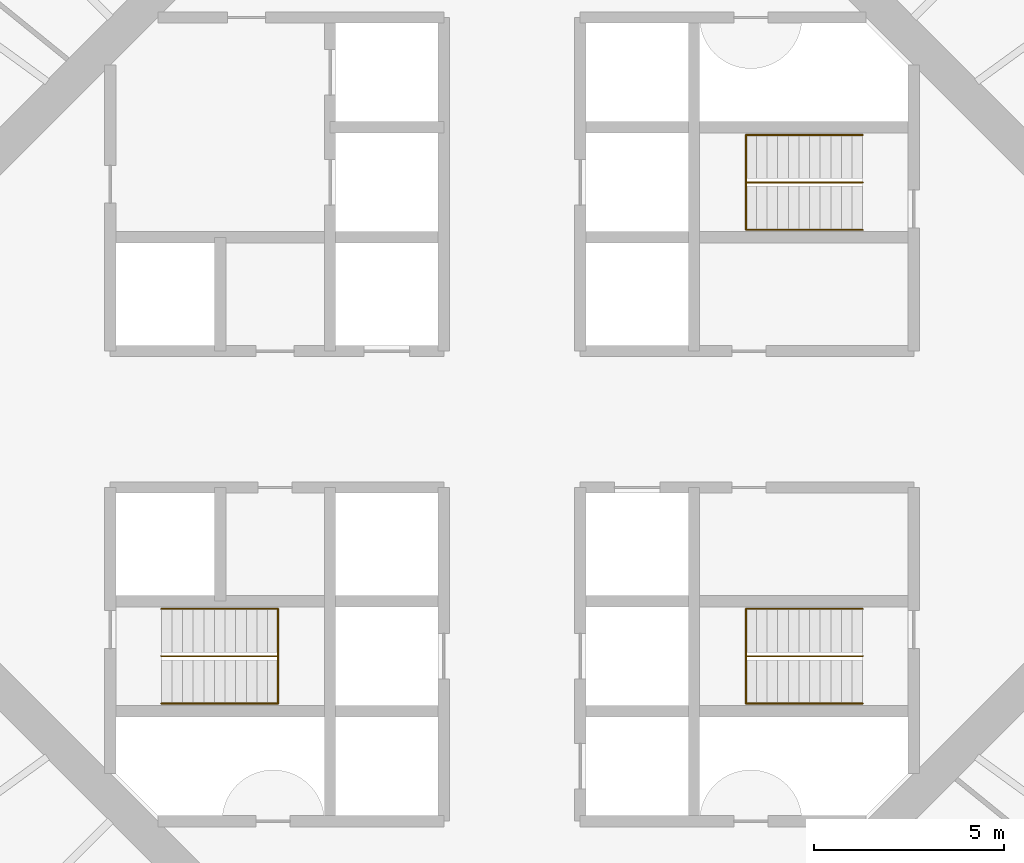
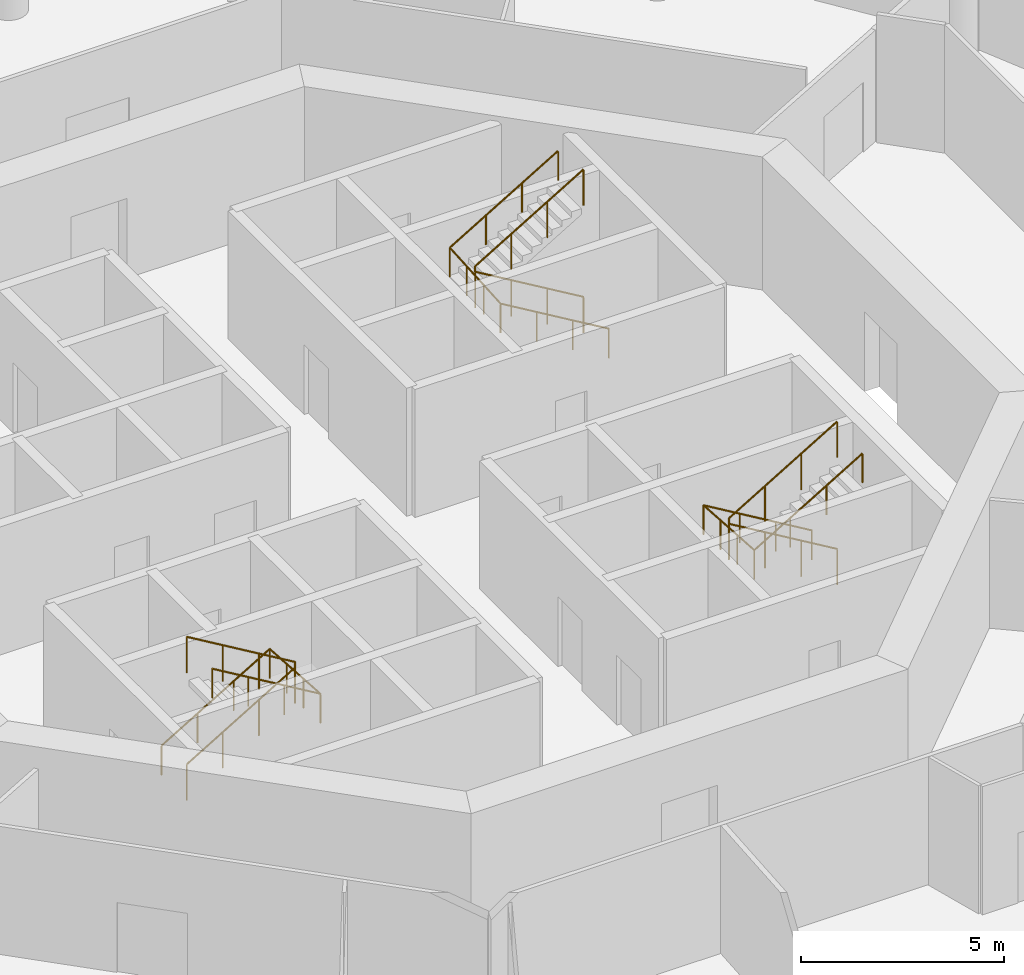
# One storey, part 12 of 12: 6 railings.
"""IFC4 building model written with IfcOpenShell, lengths in metres."""

from ifc_helpers import new_model, si_unit, direction, frame, origin, origin_2d, place, context, subcontext, project, spatial, circle, extrude, material, type_object, element, save


model = new_model("IFC4")

# Units and contexts
model_context = context("Model", 3, precision=1e-05, world=origin(), true_north=direction((0.0, 1.0)))
body_context = subcontext(model_context, "Body", "Model", "MODEL_VIEW")
ifc_project = project(units=[si_unit("LENGTHUNIT", "METRE"), si_unit("AREAUNIT", "SQUARE_METRE"), si_unit("VOLUMEUNIT", "CUBIC_METRE"), si_unit("PLANEANGLEUNIT", "RADIAN"), si_unit("MASSUNIT", "GRAM", prefix="KILO")], contexts=[model_context])

# Site, building, storey
site_placement = place(None, origin())
site = spatial("IfcSite", under=ifc_project, at=site_placement, CompositionType="ELEMENT")
building_placement = place(site_placement, origin())
building = spatial("IfcBuilding", under=site, at=building_placement, Name="Entoto Ring Tower", CompositionType="ELEMENT")
storey_placement = place(building_placement, frame((0.0, 0.0, 254.0)))
storey = spatial("IfcBuildingStorey", under=building, at=storey_placement, Name="L58", CompositionType="ELEMENT", Elevation=254.0)

# Railings
ifc_material_1 = material(Name="Steel S275", Category="steel")
railing_type_1 = type_object("IfcRailingType", Name="Stair guard 1100 mm steel", PredefinedType="GUARDRAIL", material=ifc_material_1)
railing_1_placement = place(storey_placement, frame((99.25, 86.25, 0.166748046875)))
element("IfcRailing", 1, at=railing_1_placement, inside=storey, type_object=railing_type_1, Name="Guard ST1", PredefinedType="GUARDRAIL", context=body_context, shape_type="SweptSolid", body=[
    extrude(circle(Radius=0.02392578125, at=origin_2d()), frame((0.0, 0.0, 1.076171875), z_axis=(-0.859308565015, 0.0, 0.511457515432), x_axis=(0.0, -1.0, 0.0)), (0.0, 0.0, 1.0), 3.58447265625),
    extrude(circle(Radius=0.02392578125, at=origin_2d()), frame((-3.080078125, 0.0, 2.9091796875), z_axis=(0.0, 0.0, 1.0), x_axis=(1.0, 0.0, 0.0)), (0.0, 0.0, 1.0), 0.166748046875),
    extrude(circle(Radius=0.02392578125, at=origin_2d()), frame((-3.080078125, 0.0, 3.076171875), z_axis=(0.859308565015, 0.0, 0.511457515432), x_axis=(0.0, 1.0, 0.0)), (0.0, 0.0, 1.0), 3.58447265625),
    extrude(circle(Radius=0.02099609375, at=origin_2d()), origin(), (0.0, 0.0, 1.0), 1.052001953125),
    extrude(circle(Radius=0.02099609375, at=origin_2d()), frame((-1.026611328125, 0.0, 0.611083984375)), (0.0, 0.0, 1.0), 1.052001953125),
    extrude(circle(Radius=0.02099609375, at=origin_2d()), frame((-2.053466796875, 0.0, 1.22216796875)), (0.0, 0.0, 1.0), 1.052001953125),
    extrude(circle(Radius=0.02099609375, at=origin_2d()), frame((-3.080078125, 0.0, 1.833251953125)), (0.0, 0.0, 1.0), 1.052001953125),
    extrude(circle(Radius=0.02099609375, at=origin_2d()), frame((-3.080078125, 0.0, 2.0)), (0.0, 0.0, 1.0), 1.052001953125),
    extrude(circle(Radius=0.02099609375, at=origin_2d()), frame((-2.053466796875, 0.0, 2.611083984375)), (0.0, 0.0, 1.0), 1.052001953125),
    extrude(circle(Radius=0.02099609375, at=origin_2d()), frame((-1.026611328125, 0.0, 3.22216796875)), (0.0, 0.0, 1.0), 1.052001953125),
    extrude(circle(Radius=0.02099609375, at=origin_2d()), frame((0.0, 0.0, 3.833251953125)), (0.0, 0.0, 1.0), 1.052001953125),
])
railing_2_placement = place(storey_placement, frame((80.75, 73.75, 0.166748046875)))
element("IfcRailing", 2, at=railing_2_placement, inside=storey, type_object=railing_type_1, Name="Guard ST2", PredefinedType="GUARDRAIL", context=body_context, shape_type="SweptSolid", body=[
    extrude(circle(Radius=0.02392578125, at=origin_2d()), frame((0.0, 0.0, 1.076171875), z_axis=(0.859308565015, 0.0, 0.511457515432), x_axis=(0.0, 1.0, 0.0)), (0.0, 0.0, 1.0), 3.58447265625),
    extrude(circle(Radius=0.02392578125, at=origin_2d()), frame((3.080078125, 0.0, 2.9091796875), z_axis=(0.0, 0.0, 1.0), x_axis=(1.0, 0.0, 0.0)), (0.0, 0.0, 1.0), 0.166748046875),
    extrude(circle(Radius=0.02392578125, at=origin_2d()), frame((3.080078125, 0.0, 3.076171875), z_axis=(-0.859308565015, 0.0, 0.511457515432), x_axis=(0.0, -1.0, 0.0)), (0.0, 0.0, 1.0), 3.58447265625),
    extrude(circle(Radius=0.02099609375, at=origin_2d()), origin(), (0.0, 0.0, 1.0), 1.052001953125),
    extrude(circle(Radius=0.02099609375, at=origin_2d()), frame((1.026611328125, 0.0, 0.611083984375)), (0.0, 0.0, 1.0), 1.052001953125),
    extrude(circle(Radius=0.02099609375, at=origin_2d()), frame((2.053466796875, 0.0, 1.22216796875)), (0.0, 0.0, 1.0), 1.052001953125),
    extrude(circle(Radius=0.02099609375, at=origin_2d()), frame((3.080078125, 0.0, 1.833251953125)), (0.0, 0.0, 1.0), 1.052001953125),
    extrude(circle(Radius=0.02099609375, at=origin_2d()), frame((3.080078125, 0.0, 2.0)), (0.0, 0.0, 1.0), 1.052001953125),
    extrude(circle(Radius=0.02099609375, at=origin_2d()), frame((2.053466796875, 0.0, 2.611083984375)), (0.0, 0.0, 1.0), 1.052001953125),
    extrude(circle(Radius=0.02099609375, at=origin_2d()), frame((1.026611328125, 0.0, 3.22216796875)), (0.0, 0.0, 1.0), 1.052001953125),
    extrude(circle(Radius=0.02099609375, at=origin_2d()), frame((0.0, 0.0, 3.833251953125)), (0.0, 0.0, 1.0), 1.052001953125),
])
railing_3_placement = place(storey_placement, frame((99.25, 73.75, 0.166748046875)))
element("IfcRailing", 3, at=railing_3_placement, inside=storey, type_object=railing_type_1, Name="Guard ST3", PredefinedType="GUARDRAIL", context=body_context, shape_type="SweptSolid", body=[
    extrude(circle(Radius=0.02392578125, at=origin_2d()), frame((0.0, 0.0, 1.076171875), z_axis=(-0.859308565015, 0.0, 0.511457515432), x_axis=(0.0, -1.0, 0.0)), (0.0, 0.0, 1.0), 3.58447265625),
    extrude(circle(Radius=0.02392578125, at=origin_2d()), frame((-3.080078125, 0.0, 2.9091796875), z_axis=(0.0, 0.0, 1.0), x_axis=(1.0, 0.0, 0.0)), (0.0, 0.0, 1.0), 0.166748046875),
    extrude(circle(Radius=0.02392578125, at=origin_2d()), frame((-3.080078125, 0.0, 3.076171875), z_axis=(0.859308565015, 0.0, 0.511457515432), x_axis=(0.0, 1.0, 0.0)), (0.0, 0.0, 1.0), 3.58447265625),
    extrude(circle(Radius=0.02099609375, at=origin_2d()), origin(), (0.0, 0.0, 1.0), 1.052001953125),
    extrude(circle(Radius=0.02099609375, at=origin_2d()), frame((-1.026611328125, 0.0, 0.611083984375)), (0.0, 0.0, 1.0), 1.052001953125),
    extrude(circle(Radius=0.02099609375, at=origin_2d()), frame((-2.053466796875, 0.0, 1.22216796875)), (0.0, 0.0, 1.0), 1.052001953125),
    extrude(circle(Radius=0.02099609375, at=origin_2d()), frame((-3.080078125, 0.0, 1.833251953125)), (0.0, 0.0, 1.0), 1.052001953125),
    extrude(circle(Radius=0.02099609375, at=origin_2d()), frame((-3.080078125, 0.0, 2.0)), (0.0, 0.0, 1.0), 1.052001953125),
    extrude(circle(Radius=0.02099609375, at=origin_2d()), frame((-2.053466796875, 0.0, 2.611083984375)), (0.0, 0.0, 1.0), 1.052001953125),
    extrude(circle(Radius=0.02099609375, at=origin_2d()), frame((-1.026611328125, 0.0, 3.22216796875)), (0.0, 0.0, 1.0), 1.052001953125),
    extrude(circle(Radius=0.02099609375, at=origin_2d()), frame((0.0, 0.0, 3.833251953125)), (0.0, 0.0, 1.0), 1.052001953125),
])
ifc_material_2 = material(Name="Steel S275", Category="steel")
railing_type_2 = type_object("IfcRailingType", Name="Stair handrail 900 mm steel", PredefinedType="HANDRAIL", material=ifc_material_2)
railing_4_placement = place(storey_placement, frame((99.25, 85.0, 0.166748046875)))
element("IfcRailing", 4, at=railing_4_placement, inside=storey, type_object=railing_type_2, Name="Handrail ST1", PredefinedType="HANDRAIL", context=body_context, shape_type="SweptSolid", body=[
    extrude(circle(Radius=0.02392578125, at=origin_2d()), frame((0.0, 0.0, 0.8759765625), z_axis=(-0.859308565015, 0.0, 0.511457515432), x_axis=(0.0, -1.0, 0.0)), (0.0, 0.0, 1.0), 3.58447265625),
    extrude(circle(Radius=0.02392578125, at=origin_2d()), frame((-3.080078125, 0.0, 2.708984375), z_axis=(0.0, 0.997783001586, 0.066551346688), x_axis=(-1.0, 0.0, 0.0)), (0.0, 0.0, 1.0), 2.505615234375),
    extrude(circle(Radius=0.02392578125, at=origin_2d()), frame((-3.080078125, 2.5, 2.8759765625), z_axis=(0.859308565015, 0.0, 0.511457515432), x_axis=(0.0, 1.0, 0.0)), (0.0, 0.0, 1.0), 3.58447265625),
    extrude(circle(Radius=0.02099609375, at=origin_2d()), origin(), (0.0, 0.0, 1.0), 0.851806640625),
    extrude(circle(Radius=0.02099609375, at=origin_2d()), frame((-1.026611328125, 0.0, 0.611083984375)), (0.0, 0.0, 1.0), 0.851806640625),
    extrude(circle(Radius=0.02099609375, at=origin_2d()), frame((-2.053466796875, 0.0, 1.22216796875)), (0.0, 0.0, 1.0), 0.851806640625),
    extrude(circle(Radius=0.02099609375, at=origin_2d()), frame((-3.080078125, 0.0, 1.833251953125)), (0.0, 0.0, 1.0), 0.851806640625),
    extrude(circle(Radius=0.02099609375, at=origin_2d()), frame((-3.080078125, 0.833251953125, 1.888916015625)), (0.0, 0.0, 1.0), 0.851806640625),
    extrude(circle(Radius=0.02099609375, at=origin_2d()), frame((-3.080078125, 1.666748046875, 1.9443359375)), (0.0, 0.0, 1.0), 0.851806640625),
    extrude(circle(Radius=0.02099609375, at=origin_2d()), frame((-3.080078125, 2.5, 2.0)), (0.0, 0.0, 1.0), 0.851806640625),
    extrude(circle(Radius=0.02099609375, at=origin_2d()), frame((-2.053466796875, 2.5, 2.611083984375)), (0.0, 0.0, 1.0), 0.851806640625),
    extrude(circle(Radius=0.02099609375, at=origin_2d()), frame((-1.026611328125, 2.5, 3.22216796875)), (0.0, 0.0, 1.0), 0.851806640625),
    extrude(circle(Radius=0.02099609375, at=origin_2d()), frame((0.0, 2.5, 3.833251953125)), (0.0, 0.0, 1.0), 0.851806640625),
])
railing_5_placement = place(storey_placement, frame((80.75, 75.0, 0.166748046875)))
element("IfcRailing", 5, at=railing_5_placement, inside=storey, type_object=railing_type_2, Name="Handrail ST2", PredefinedType="HANDRAIL", context=body_context, shape_type="SweptSolid", body=[
    extrude(circle(Radius=0.02392578125, at=origin_2d()), frame((0.0, 0.0, 0.8759765625), z_axis=(0.859308565015, 0.0, 0.511457515432), x_axis=(0.0, 1.0, 0.0)), (0.0, 0.0, 1.0), 3.58447265625),
    extrude(circle(Radius=0.02392578125, at=origin_2d()), frame((3.080078125, 0.0, 2.708984375), z_axis=(0.0, -0.997783001586, 0.066551346688), x_axis=(1.0, 0.0, 0.0)), (0.0, 0.0, 1.0), 2.505615234375),
    extrude(circle(Radius=0.02392578125, at=origin_2d()), frame((3.080078125, -2.5, 2.8759765625), z_axis=(-0.859308565015, 0.0, 0.511457515432), x_axis=(0.0, -1.0, 0.0)), (0.0, 0.0, 1.0), 3.58447265625),
    extrude(circle(Radius=0.02099609375, at=origin_2d()), origin(), (0.0, 0.0, 1.0), 0.851806640625),
    extrude(circle(Radius=0.02099609375, at=origin_2d()), frame((1.026611328125, 0.0, 0.611083984375)), (0.0, 0.0, 1.0), 0.851806640625),
    extrude(circle(Radius=0.02099609375, at=origin_2d()), frame((2.053466796875, 0.0, 1.22216796875)), (0.0, 0.0, 1.0), 0.851806640625),
    extrude(circle(Radius=0.02099609375, at=origin_2d()), frame((3.080078125, 0.0, 1.833251953125)), (0.0, 0.0, 1.0), 0.851806640625),
    extrude(circle(Radius=0.02099609375, at=origin_2d()), frame((3.080078125, -0.833251953125, 1.888916015625)), (0.0, 0.0, 1.0), 0.851806640625),
    extrude(circle(Radius=0.02099609375, at=origin_2d()), frame((3.080078125, -1.666748046875, 1.9443359375)), (0.0, 0.0, 1.0), 0.851806640625),
    extrude(circle(Radius=0.02099609375, at=origin_2d()), frame((3.080078125, -2.5, 2.0)), (0.0, 0.0, 1.0), 0.851806640625),
    extrude(circle(Radius=0.02099609375, at=origin_2d()), frame((2.053466796875, -2.5, 2.611083984375)), (0.0, 0.0, 1.0), 0.851806640625),
    extrude(circle(Radius=0.02099609375, at=origin_2d()), frame((1.026611328125, -2.5, 3.22216796875)), (0.0, 0.0, 1.0), 0.851806640625),
    extrude(circle(Radius=0.02099609375, at=origin_2d()), frame((0.0, -2.5, 3.833251953125)), (0.0, 0.0, 1.0), 0.851806640625),
])
railing_6_placement = place(storey_placement, frame((99.25, 75.0, 0.166748046875)))
element("IfcRailing", 6, at=railing_6_placement, inside=storey, type_object=railing_type_2, Name="Handrail ST3", PredefinedType="HANDRAIL", context=body_context, shape_type="SweptSolid", body=[
    extrude(circle(Radius=0.02392578125, at=origin_2d()), frame((0.0, 0.0, 0.8759765625), z_axis=(-0.859308565015, 0.0, 0.511457515432), x_axis=(0.0, -1.0, 0.0)), (0.0, 0.0, 1.0), 3.58447265625),
    extrude(circle(Radius=0.02392578125, at=origin_2d()), frame((-3.080078125, 0.0, 2.708984375), z_axis=(0.0, -0.997783001586, 0.066551346688), x_axis=(1.0, 0.0, 0.0)), (0.0, 0.0, 1.0), 2.505615234375),
    extrude(circle(Radius=0.02392578125, at=origin_2d()), frame((-3.080078125, -2.5, 2.8759765625), z_axis=(0.859308565015, 0.0, 0.511457515432), x_axis=(0.0, 1.0, 0.0)), (0.0, 0.0, 1.0), 3.58447265625),
    extrude(circle(Radius=0.02099609375, at=origin_2d()), origin(), (0.0, 0.0, 1.0), 0.851806640625),
    extrude(circle(Radius=0.02099609375, at=origin_2d()), frame((-1.026611328125, 0.0, 0.611083984375)), (0.0, 0.0, 1.0), 0.851806640625),
    extrude(circle(Radius=0.02099609375, at=origin_2d()), frame((-2.053466796875, 0.0, 1.22216796875)), (0.0, 0.0, 1.0), 0.851806640625),
    extrude(circle(Radius=0.02099609375, at=origin_2d()), frame((-3.080078125, 0.0, 1.833251953125)), (0.0, 0.0, 1.0), 0.851806640625),
    extrude(circle(Radius=0.02099609375, at=origin_2d()), frame((-3.080078125, -0.833251953125, 1.888916015625)), (0.0, 0.0, 1.0), 0.851806640625),
    extrude(circle(Radius=0.02099609375, at=origin_2d()), frame((-3.080078125, -1.666748046875, 1.9443359375)), (0.0, 0.0, 1.0), 0.851806640625),
    extrude(circle(Radius=0.02099609375, at=origin_2d()), frame((-3.080078125, -2.5, 2.0)), (0.0, 0.0, 1.0), 0.851806640625),
    extrude(circle(Radius=0.02099609375, at=origin_2d()), frame((-2.053466796875, -2.5, 2.611083984375)), (0.0, 0.0, 1.0), 0.851806640625),
    extrude(circle(Radius=0.02099609375, at=origin_2d()), frame((-1.026611328125, -2.5, 3.22216796875)), (0.0, 0.0, 1.0), 0.851806640625),
    extrude(circle(Radius=0.02099609375, at=origin_2d()), frame((0.0, -2.5, 3.833251953125)), (0.0, 0.0, 1.0), 0.851806640625),
])

save(model, "model.ifc")
